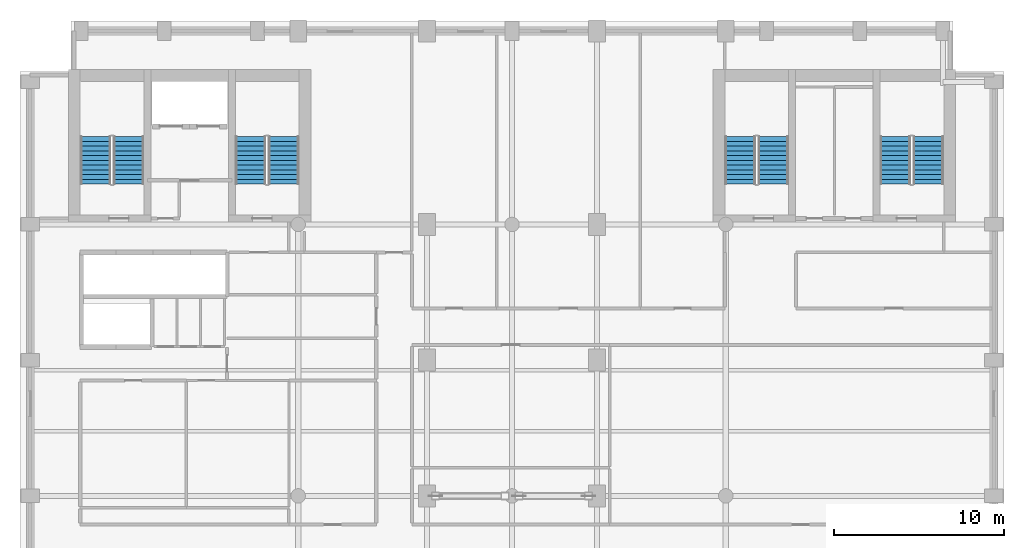
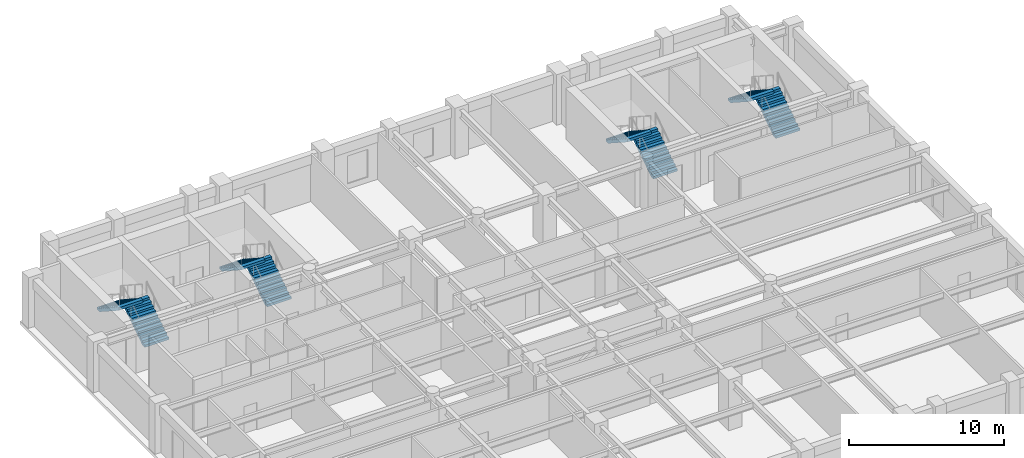
# One storey, part 9 of 11: 8 stair flights, 4 elements without a shape of their own.
"""IFC4 building model written with IfcOpenShell, lengths in metres."""

from ifc_helpers import new_model, si_unit, direction, frame, origin, place, context, subcontext, project, spatial, polyline, outline, extrude, material, type_object, element, aggregate, save


model = new_model("IFC4")

# Units and contexts
model_context = context("Model", 3, precision=1e-05, world=origin(), true_north=direction((0.0, 1.0)))
body_context = subcontext(model_context, "Body", "Model", "MODEL_VIEW")
ifc_project = project(units=[si_unit("LENGTHUNIT", "METRE"), si_unit("AREAUNIT", "SQUARE_METRE"), si_unit("VOLUMEUNIT", "CUBIC_METRE"), si_unit("PLANEANGLEUNIT", "RADIAN"), si_unit("MASSUNIT", "GRAM", prefix="KILO")], contexts=[model_context])

# Site, building, storey
site_placement = place(None, origin())
site = spatial("IfcSite", under=ifc_project, at=site_placement, CompositionType="ELEMENT")
building_placement = place(site_placement, origin())
building = spatial("IfcBuilding", under=site, at=building_placement, Name="Sulina Concourse Tower", CompositionType="ELEMENT")
storey_placement = place(building_placement, frame((0.0, 0.0, 218.60009765625)))
storey = spatial("IfcBuildingStorey", under=building, at=storey_placement, Name="L53", CompositionType="ELEMENT", Elevation=218.60009765625)

# Stair, stair flights
ifc_material_1 = material(Name="Concrete C50/60", Category="concrete")
stair_type_1 = type_object("IfcStairType", Name="Portal & Podium Core Exit Stair 1820mm", PredefinedType="HALF_TURN_STAIR", material=ifc_material_1)
stair_1_placement = place(storey_placement, origin())
stair_1 = element("IfcStair", 1, at=stair_1_placement, inside=storey, type_object=stair_type_1, Name="L53 ST-3", PredefinedType="HALF_TURN_STAIR")
ifc_material_2 = material(Name="Concrete C50/60", Category="concrete")
stair_flight_type_1 = type_object("IfcStairFlightType", Name="Portal & Podium Core Exit Stair 1820mm Flight", PredefinedType="STRAIGHT", material=ifc_material_2)
stair_flight_1_placement = place(storey_placement, frame((44.405029296875, 36.375, 0.0), z_axis=(0.0, 0.0, 1.0), x_axis=(0.0, 1.0, 0.0)))
stair_flight_1 = element("IfcStairFlight", 2, at=stair_flight_1_placement, type_object=stair_flight_type_1, Name="ST-3 flight 1", NumberOfRisers=11, NumberOfTreads=10, PredefinedType="STRAIGHT", RiserHeight=0.181818182, TreadLength=0.28, context=body_context, shape_type="SweptSolid", body=[
    extrude(outline(polyline([(0.0, 0.0), (0.0, 0.181884765625), (0.280029296875, 0.181884765625), (0.280029296875, 0.363525390625), (0.56005859375, 0.363525390625), (0.56005859375, 0.54541015625), (0.840087890625, 0.54541015625), (0.840087890625, 0.727294921875), (1.1201171875, 0.727294921875), (1.1201171875, 0.9091796875), (1.39990234375, 0.9091796875), (1.39990234375, 1.0908203125), (1.679931640625, 1.0908203125), (1.679931640625, 1.272705078125), (1.9599609375, 1.272705078125), (1.9599609375, 1.45458984375), (2.239990234375, 1.45458984375), (2.239990234375, 1.636474609375), (2.52001953125, 1.636474609375), (2.52001953125, 1.818115234375), (2.800048828125, 1.818115234375), (2.800048828125, 2.0), (2.800048828125, 1.603759765625), (0.330322265625, 0.0), (0.0, 0.0)])), frame((0.0, 0.89990234375, 0.0), z_axis=(0.0, -1.0, 0.0), x_axis=(1.0, 0.0, 0.0)), (0.0, 0.0, 1.0), 1.800048828125),
])
stair_flight_2_placement = place(storey_placement, frame((42.455078125, 39.175048828125, 2.0), z_axis=(0.0, 0.0, 1.0), x_axis=(0.0, -1.0, 0.0)))
stair_flight_2 = element("IfcStairFlight", 3, at=stair_flight_2_placement, type_object=stair_flight_type_1, Name="ST-3 flight 2", NumberOfRisers=11, NumberOfTreads=10, PredefinedType="STRAIGHT", RiserHeight=0.181818182, TreadLength=0.28, context=body_context, shape_type="SweptSolid", body=[
    extrude(outline(polyline([(0.0, 0.0), (0.0, 0.181884765625), (0.280029296875, 0.181884765625), (0.280029296875, 0.363525390625), (0.56005859375, 0.363525390625), (0.56005859375, 0.54541015625), (0.840087890625, 0.54541015625), (0.840087890625, 0.727294921875), (1.1201171875, 0.727294921875), (1.1201171875, 0.9091796875), (1.39990234375, 0.9091796875), (1.39990234375, 1.0908203125), (1.679931640625, 1.0908203125), (1.679931640625, 1.272705078125), (1.9599609375, 1.272705078125), (1.9599609375, 1.45458984375), (2.239990234375, 1.45458984375), (2.239990234375, 1.636474609375), (2.52001953125, 1.636474609375), (2.52001953125, 1.818115234375), (2.800048828125, 1.818115234375), (2.800048828125, 2.0), (2.800048828125, 1.603759765625), (0.330322265625, 0.0), (0.0, 0.0)])), frame((0.0, 0.89990234375, 0.0), z_axis=(0.0, -1.0, 0.0), x_axis=(1.0, 0.0, 0.0)), (0.0, 0.0, 1.0), 1.800048828125),
])
aggregate(stair_1, [stair_flight_1, stair_flight_2])

stair_2_placement = place(storey_placement, origin())
stair_2 = element("IfcStair", 4, at=stair_2_placement, inside=storey, type_object=stair_type_1, Name="L53 ST-4", PredefinedType="HALF_TURN_STAIR")
stair_flight_3_placement = place(storey_placement, frame((53.544921875, 36.375, 0.0), z_axis=(0.0, 0.0, 1.0), x_axis=(0.0, 1.0, 0.0)))
stair_flight_3 = element("IfcStairFlight", 5, at=stair_flight_3_placement, type_object=stair_flight_type_1, Name="ST-4 flight 1", NumberOfRisers=11, NumberOfTreads=10, PredefinedType="STRAIGHT", RiserHeight=0.181818182, TreadLength=0.28, context=body_context, shape_type="SweptSolid", body=[
    extrude(outline(polyline([(0.0, 0.0), (0.0, 0.181884765625), (0.280029296875, 0.181884765625), (0.280029296875, 0.363525390625), (0.56005859375, 0.363525390625), (0.56005859375, 0.54541015625), (0.840087890625, 0.54541015625), (0.840087890625, 0.727294921875), (1.1201171875, 0.727294921875), (1.1201171875, 0.9091796875), (1.39990234375, 0.9091796875), (1.39990234375, 1.0908203125), (1.679931640625, 1.0908203125), (1.679931640625, 1.272705078125), (1.9599609375, 1.272705078125), (1.9599609375, 1.45458984375), (2.239990234375, 1.45458984375), (2.239990234375, 1.636474609375), (2.52001953125, 1.636474609375), (2.52001953125, 1.818115234375), (2.800048828125, 1.818115234375), (2.800048828125, 2.0), (2.800048828125, 1.603759765625), (0.330322265625, 0.0), (0.0, 0.0)])), frame((0.0, 0.89990234375, 0.0), z_axis=(0.0, -1.0, 0.0), x_axis=(1.0, 0.0, 0.0)), (0.0, 0.0, 1.0), 1.800048828125),
])
stair_flight_4_placement = place(storey_placement, frame((51.594970703125, 39.175048828125, 2.0), z_axis=(0.0, 0.0, 1.0), x_axis=(0.0, -1.0, 0.0)))
stair_flight_4 = element("IfcStairFlight", 6, at=stair_flight_4_placement, type_object=stair_flight_type_1, Name="ST-4 flight 2", NumberOfRisers=11, NumberOfTreads=10, PredefinedType="STRAIGHT", RiserHeight=0.181818182, TreadLength=0.28, context=body_context, shape_type="SweptSolid", body=[
    extrude(outline(polyline([(0.0, 0.0), (0.0, 0.181884765625), (0.280029296875, 0.181884765625), (0.280029296875, 0.363525390625), (0.56005859375, 0.363525390625), (0.56005859375, 0.54541015625), (0.840087890625, 0.54541015625), (0.840087890625, 0.727294921875), (1.1201171875, 0.727294921875), (1.1201171875, 0.9091796875), (1.39990234375, 0.9091796875), (1.39990234375, 1.0908203125), (1.679931640625, 1.0908203125), (1.679931640625, 1.272705078125), (1.9599609375, 1.272705078125), (1.9599609375, 1.45458984375), (2.239990234375, 1.45458984375), (2.239990234375, 1.636474609375), (2.52001953125, 1.636474609375), (2.52001953125, 1.818115234375), (2.800048828125, 1.818115234375), (2.800048828125, 2.0), (2.800048828125, 1.603759765625), (0.330322265625, 0.0), (0.0, 0.0)])), frame((0.0, 0.89990234375, 0.0), z_axis=(0.0, -1.0, 0.0), x_axis=(1.0, 0.0, 0.0)), (0.0, 0.0, 1.0), 1.800048828125),
])
aggregate(stair_2, [stair_flight_3, stair_flight_4])

ifc_material_3 = material(Name="Concrete C50/60", Category="concrete")
stair_type_2 = type_object("IfcStairType", Name="Primary Core Dog-Leg Exit Stair 1800mm", PredefinedType="HALF_TURN_STAIR", material=ifc_material_3)
stair_3_placement = place(storey_placement, origin())
stair_3 = element("IfcStair", 7, at=stair_3_placement, inside=storey, type_object=stair_type_2, Name="L53 ST-1", PredefinedType="HALF_TURN_STAIR")
ifc_material_4 = material(Name="Concrete C50/60", Category="concrete")
stair_flight_type_2 = type_object("IfcStairFlightType", Name="Primary Core Dog-Leg Exit Stair 1800mm Flight", PredefinedType="STRAIGHT", material=ifc_material_4)
stair_flight_5_placement = place(storey_placement, frame((6.405029296875, 36.375, 0.0), z_axis=(0.0, 0.0, 1.0), x_axis=(0.0, 1.0, 0.0)))
stair_flight_5 = element("IfcStairFlight", 8, at=stair_flight_5_placement, type_object=stair_flight_type_2, Name="ST-1 flight 1", NumberOfRisers=11, NumberOfTreads=10, PredefinedType="STRAIGHT", RiserHeight=0.181818182, TreadLength=0.28, context=body_context, shape_type="SweptSolid", body=[
    extrude(outline(polyline([(0.0, 0.0), (0.0, 0.181884765625), (0.280029296875, 0.181884765625), (0.280029296875, 0.363525390625), (0.56005859375, 0.363525390625), (0.56005859375, 0.54541015625), (0.840087890625, 0.54541015625), (0.840087890625, 0.727294921875), (1.1201171875, 0.727294921875), (1.1201171875, 0.9091796875), (1.39990234375, 0.9091796875), (1.39990234375, 1.0908203125), (1.679931640625, 1.0908203125), (1.679931640625, 1.272705078125), (1.9599609375, 1.272705078125), (1.9599609375, 1.45458984375), (2.239990234375, 1.45458984375), (2.239990234375, 1.636474609375), (2.52001953125, 1.636474609375), (2.52001953125, 1.818115234375), (2.800048828125, 1.818115234375), (2.800048828125, 2.0), (2.800048828125, 1.603759765625), (0.330322265625, 0.0), (0.0, 0.0)])), frame((0.0, 0.89990234375, 0.0), z_axis=(0.0, -1.0, 0.0), x_axis=(1.0, 0.0, 0.0)), (0.0, 0.0, 1.0), 1.800048828125),
])
stair_flight_6_placement = place(storey_placement, frame((4.455078125, 39.175048828125, 2.0), z_axis=(0.0, 0.0, 1.0), x_axis=(0.0, -1.0, 0.0)))
stair_flight_6 = element("IfcStairFlight", 9, at=stair_flight_6_placement, type_object=stair_flight_type_2, Name="ST-1 flight 2", NumberOfRisers=11, NumberOfTreads=10, PredefinedType="STRAIGHT", RiserHeight=0.181818182, TreadLength=0.28, context=body_context, shape_type="SweptSolid", body=[
    extrude(outline(polyline([(0.0, 0.0), (0.0, 0.181884765625), (0.280029296875, 0.181884765625), (0.280029296875, 0.363525390625), (0.56005859375, 0.363525390625), (0.56005859375, 0.54541015625), (0.840087890625, 0.54541015625), (0.840087890625, 0.727294921875), (1.1201171875, 0.727294921875), (1.1201171875, 0.9091796875), (1.39990234375, 0.9091796875), (1.39990234375, 1.0908203125), (1.679931640625, 1.0908203125), (1.679931640625, 1.272705078125), (1.9599609375, 1.272705078125), (1.9599609375, 1.45458984375), (2.239990234375, 1.45458984375), (2.239990234375, 1.636474609375), (2.52001953125, 1.636474609375), (2.52001953125, 1.818115234375), (2.800048828125, 1.818115234375), (2.800048828125, 2.0), (2.800048828125, 1.603759765625), (0.330322265625, 0.0), (0.0, 0.0)])), frame((0.0, 0.89990234375, 0.0), z_axis=(0.0, -1.0, 0.0), x_axis=(1.0, 0.0, 0.0)), (0.0, 0.0, 1.0), 1.800048828125),
])
aggregate(stair_3, [stair_flight_5, stair_flight_6])

stair_4_placement = place(storey_placement, origin())
stair_4 = element("IfcStair", 10, at=stair_4_placement, inside=storey, type_object=stair_type_2, Name="L53 ST-2", PredefinedType="HALF_TURN_STAIR")
stair_flight_7_placement = place(storey_placement, frame((15.544921875, 36.375, 0.0), z_axis=(0.0, 0.0, 1.0), x_axis=(0.0, 1.0, 0.0)))
stair_flight_7 = element("IfcStairFlight", 11, at=stair_flight_7_placement, type_object=stair_flight_type_2, Name="ST-2 flight 1", NumberOfRisers=11, NumberOfTreads=10, PredefinedType="STRAIGHT", RiserHeight=0.181818182, TreadLength=0.28, context=body_context, shape_type="SweptSolid", body=[
    extrude(outline(polyline([(0.0, 0.0), (0.0, 0.181884765625), (0.280029296875, 0.181884765625), (0.280029296875, 0.363525390625), (0.56005859375, 0.363525390625), (0.56005859375, 0.54541015625), (0.840087890625, 0.54541015625), (0.840087890625, 0.727294921875), (1.1201171875, 0.727294921875), (1.1201171875, 0.9091796875), (1.39990234375, 0.9091796875), (1.39990234375, 1.0908203125), (1.679931640625, 1.0908203125), (1.679931640625, 1.272705078125), (1.9599609375, 1.272705078125), (1.9599609375, 1.45458984375), (2.239990234375, 1.45458984375), (2.239990234375, 1.636474609375), (2.52001953125, 1.636474609375), (2.52001953125, 1.818115234375), (2.800048828125, 1.818115234375), (2.800048828125, 2.0), (2.800048828125, 1.603759765625), (0.330322265625, 0.0), (0.0, 0.0)])), frame((0.0, 0.89990234375, 0.0), z_axis=(0.0, -1.0, 0.0), x_axis=(1.0, 0.0, 0.0)), (0.0, 0.0, 1.0), 1.800048828125),
])
stair_flight_8_placement = place(storey_placement, frame((13.594970703125, 39.175048828125, 2.0), z_axis=(0.0, 0.0, 1.0), x_axis=(0.0, -1.0, 0.0)))
stair_flight_8 = element("IfcStairFlight", 12, at=stair_flight_8_placement, type_object=stair_flight_type_2, Name="ST-2 flight 2", NumberOfRisers=11, NumberOfTreads=10, PredefinedType="STRAIGHT", RiserHeight=0.181818182, TreadLength=0.28, context=body_context, shape_type="SweptSolid", body=[
    extrude(outline(polyline([(0.0, 0.0), (0.0, 0.181884765625), (0.280029296875, 0.181884765625), (0.280029296875, 0.363525390625), (0.56005859375, 0.363525390625), (0.56005859375, 0.54541015625), (0.840087890625, 0.54541015625), (0.840087890625, 0.727294921875), (1.1201171875, 0.727294921875), (1.1201171875, 0.9091796875), (1.39990234375, 0.9091796875), (1.39990234375, 1.0908203125), (1.679931640625, 1.0908203125), (1.679931640625, 1.272705078125), (1.9599609375, 1.272705078125), (1.9599609375, 1.45458984375), (2.239990234375, 1.45458984375), (2.239990234375, 1.636474609375), (2.52001953125, 1.636474609375), (2.52001953125, 1.818115234375), (2.800048828125, 1.818115234375), (2.800048828125, 2.0), (2.800048828125, 1.603759765625), (0.330322265625, 0.0), (0.0, 0.0)])), frame((0.0, 0.89990234375, 0.0), z_axis=(0.0, -1.0, 0.0), x_axis=(1.0, 0.0, 0.0)), (0.0, 0.0, 1.0), 1.800048828125),
])
aggregate(stair_4, [stair_flight_7, stair_flight_8])

save(model, "model.ifc")
